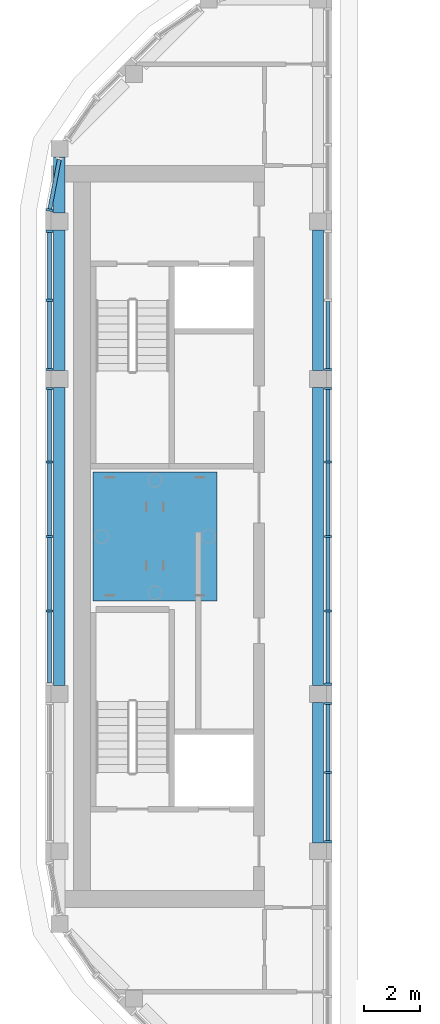
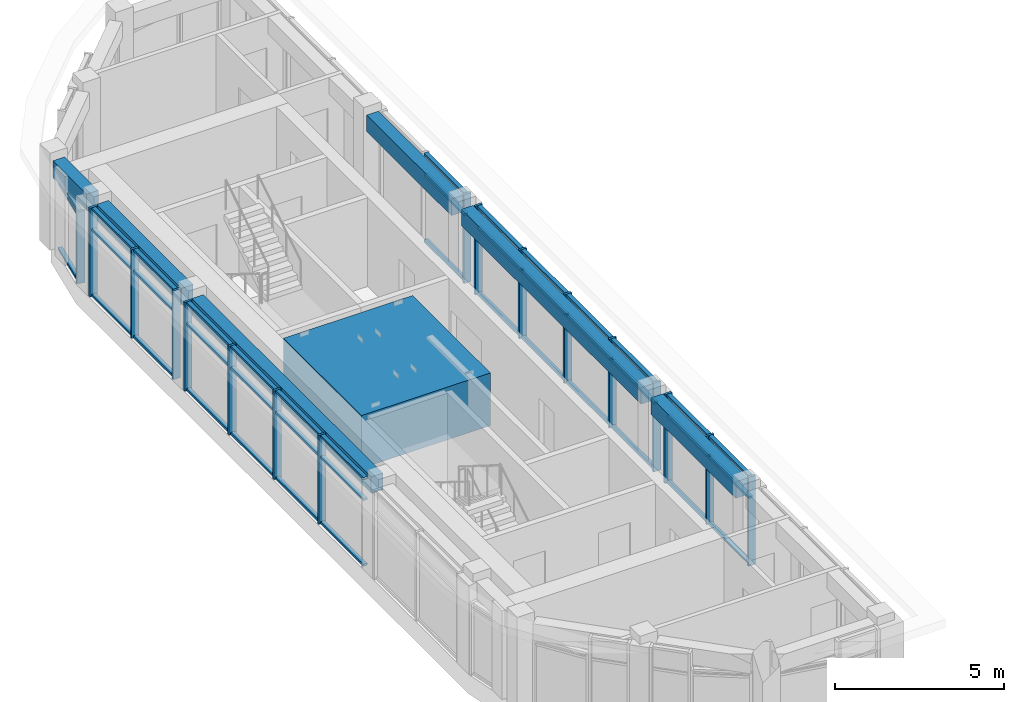
# One storey, part 3 of 16: 60 members, 6 beams, 6 elements without a shape of their own.
"""IFC4 building model written with IfcOpenShell, lengths in metres."""

from ifc_helpers import new_model, si_unit, direction, frame, origin, origin_2d, place, context, subcontext, project, spatial, rectangle, extrude, material, layer, layer_set, material_profile, profile_set, type_object, element, aggregate, save


model = new_model("IFC4")

# Units and contexts
model_context = context("Model", 3, precision=1e-05, world=origin(), true_north=direction((0.0, 1.0)))
body_context = subcontext(model_context, "Body", "Model", "MODEL_VIEW")
ifc_project = project(units=[si_unit("LENGTHUNIT", "METRE"), si_unit("AREAUNIT", "SQUARE_METRE"), si_unit("VOLUMEUNIT", "CUBIC_METRE"), si_unit("PLANEANGLEUNIT", "RADIAN"), si_unit("MASSUNIT", "GRAM", prefix="KILO")], contexts=[model_context])

# Site, building, storey
site_placement = place(None, origin())
site = spatial("IfcSite", under=ifc_project, at=site_placement, CompositionType="ELEMENT")
building_placement = place(site_placement, origin())
building = spatial("IfcBuilding", under=site, at=building_placement, Name="Kiln Ring Residences", CompositionType="ELEMENT")
storey_placement = place(building_placement, frame((0.0, 0.0, 313.89990234375)))
storey = spatial("IfcBuildingStorey", under=building, at=storey_placement, Name="L81 Crown", CompositionType="ELEMENT", Elevation=313.89990234375)

# Curtain wall, members
ifc_material_1 = material(Name="Aluminium and glass", Category="aluminium")
ifc_layer = layer(ifc_material_1, 0.25)
ifc_layer_set = layer_set([ifc_layer], Name="CW4 CURTAIN WALL")
curtain_wall_type = type_object("IfcCurtainWallType", Name="CW4 CURTAIN WALL", PredefinedType="NOTDEFINED", material=ifc_layer_set)
placement = place(storey_placement, origin())
curtain_wall_1 = element("IfcCurtainWall", 1, at=placement, inside=storey, type_object=curtain_wall_type, Name="Curtain wall CW4 L81 Crown", PredefinedType="NOTDEFINED")
ifc_material_2 = material(Name="Aluminium 6063-T6", Category="aluminium")
ifc_material_profile_1 = material_profile(ifc_material_2, rectangle(XDim=0.25, YDim=0.080078125, at=origin_2d()), Name="AL 250x80")
ifc_profile_set_1 = profile_set([ifc_material_profile_1], Name="Aluminium 6063-T6")
member_type_1 = type_object("IfcMemberType", Name="CW4 MULLION 250 x 80", PredefinedType="MULLION", material=ifc_profile_set_1)
member_1_placement = place(storey_placement, frame((-15.14990234375, -10.860107421875, 0.0), z_axis=(0.0, 0.0, 1.0), x_axis=(-1.0, 0.0, 0.0)))
member_1 = element("IfcMember", 2, at=member_1_placement, type_object=member_type_1, Name="CW4 mullion 1", PredefinedType="MULLION", context=body_context, shape_type="SweptSolid", body=[
    extrude(rectangle(XDim=0.25, YDim=0.080078125, at=origin_2d()), origin(), (0.0, 0.0, 1.0), 3.2001953125),
])
member_2_placement = place(storey_placement, frame((-15.14990234375, -8.39990234375, 0.0), z_axis=(0.0, 0.0, 1.0), x_axis=(-1.0, 0.0, 0.0)))
member_2 = element("IfcMember", 3, at=member_2_placement, type_object=member_type_1, Name="CW4 mullion 2", PredefinedType="MULLION", context=body_context, shape_type="SweptSolid", body=[
    extrude(rectangle(XDim=0.25, YDim=0.080078125, at=origin_2d()), origin(), (0.0, 0.0, 1.0), 3.2001953125),
])
member_3_placement = place(storey_placement, frame((-15.14990234375, -5.93994140625, 0.0), z_axis=(0.0, 0.0, 1.0), x_axis=(-1.0, 0.0, 0.0)))
member_3 = element("IfcMember", 4, at=member_3_placement, type_object=member_type_1, Name="CW4 mullion 3", PredefinedType="MULLION", context=body_context, shape_type="SweptSolid", body=[
    extrude(rectangle(XDim=0.25, YDim=0.080078125, at=origin_2d()), origin(), (0.0, 0.0, 1.0), 3.2001953125),
])

curtain_wall_2 = element("IfcCurtainWall", 5, at=placement, inside=storey, type_object=curtain_wall_type, Name="Curtain wall CW4 L81 Crown", PredefinedType="NOTDEFINED")
member_4_placement = place(storey_placement, frame((-15.14990234375, -5.260009765625, 0.0), z_axis=(0.0, 0.0, 1.0), x_axis=(-1.0, 0.0, 0.0)))
member_4 = element("IfcMember", 6, at=member_4_placement, type_object=member_type_1, Name="CW4 mullion 1", PredefinedType="MULLION", context=body_context, shape_type="SweptSolid", body=[
    extrude(rectangle(XDim=0.25, YDim=0.080078125, at=origin_2d()), origin(), (0.0, 0.0, 1.0), 3.2001953125),
])
member_5_placement = place(storey_placement, frame((-15.14990234375, -2.64990234375, 0.0), z_axis=(0.0, 0.0, 1.0), x_axis=(-1.0, 0.0, 0.0)))
member_5 = element("IfcMember", 7, at=member_5_placement, type_object=member_type_1, Name="CW4 mullion 2", PredefinedType="MULLION", context=body_context, shape_type="SweptSolid", body=[
    extrude(rectangle(XDim=0.25, YDim=0.080078125, at=origin_2d()), origin(), (0.0, 0.0, 1.0), 3.2001953125),
])
member_6_placement = place(storey_placement, frame((-15.14990234375, 0.0, 0.0), z_axis=(0.0, 0.0, 1.0), x_axis=(-1.0, 0.0, 0.0)))
member_6 = element("IfcMember", 8, at=member_6_placement, type_object=member_type_1, Name="CW4 mullion 3", PredefinedType="MULLION", context=body_context, shape_type="SweptSolid", body=[
    extrude(rectangle(XDim=0.25, YDim=0.080078125, at=origin_2d()), origin(), (0.0, 0.0, 1.0), 3.2001953125),
])
member_7_placement = place(storey_placement, frame((-15.14990234375, 2.64990234375, 0.0), z_axis=(0.0, 0.0, 1.0), x_axis=(-1.0, 0.0, 0.0)))
member_7 = element("IfcMember", 9, at=member_7_placement, type_object=member_type_1, Name="CW4 mullion 4", PredefinedType="MULLION", context=body_context, shape_type="SweptSolid", body=[
    extrude(rectangle(XDim=0.25, YDim=0.080078125, at=origin_2d()), origin(), (0.0, 0.0, 1.0), 3.2001953125),
])
member_8_placement = place(storey_placement, frame((-15.14990234375, 5.260009765625, 0.0), z_axis=(0.0, 0.0, 1.0), x_axis=(-1.0, 0.0, 0.0)))
member_8 = element("IfcMember", 10, at=member_8_placement, type_object=member_type_1, Name="CW4 mullion 5", PredefinedType="MULLION", context=body_context, shape_type="SweptSolid", body=[
    extrude(rectangle(XDim=0.25, YDim=0.080078125, at=origin_2d()), origin(), (0.0, 0.0, 1.0), 3.2001953125),
])

# Curtain wall, member
curtain_wall_3 = element("IfcCurtainWall", 11, at=placement, inside=storey, type_object=curtain_wall_type, Name="Curtain wall CW4 L81 Crown", PredefinedType="NOTDEFINED")
member_9_placement = place(storey_placement, frame((-15.14990234375, 5.93994140625, 0.0), z_axis=(0.0, 0.0, 1.0), x_axis=(-1.0, 0.0, 0.0)))
member_9 = element("IfcMember", 12, at=member_9_placement, type_object=member_type_1, Name="CW4 mullion 1", PredefinedType="MULLION", context=body_context, shape_type="SweptSolid", body=[
    extrude(rectangle(XDim=0.25, YDim=0.080078125, at=origin_2d()), origin(), (0.0, 0.0, 1.0), 3.2001953125),
])

curtain_wall_4 = element("IfcCurtainWall", 13, at=placement, inside=storey, type_object=curtain_wall_type, Name="Curtain wall CW4 L81 Crown", PredefinedType="NOTDEFINED")
member_10_placement = place(storey_placement, frame((-25.044921875, 11.612060546875, 0.0), z_axis=(0.0, 0.0, 1.0), x_axis=(0.982290257774, -0.187365550416, 0.0)))
member_10 = element("IfcMember", 14, at=member_10_placement, type_object=member_type_1, Name="CW4 mullion 2", PredefinedType="MULLION", context=body_context, shape_type="SweptSolid", body=[
    extrude(rectangle(XDim=0.25, YDim=0.080078125, at=origin_2d()), origin(), (0.0, 0.0, 1.0), 2.60009765625),
])

# Curtain wall, members
curtain_wall_5 = element("IfcCurtainWall", 15, at=placement, inside=storey, type_object=curtain_wall_type, Name="Curtain wall CW4 L81 Crown", PredefinedType="NOTDEFINED")
member_11_placement = place(storey_placement, frame((-25.050048828125, 10.860107421875, 0.0), z_axis=(0.0, 0.0, 1.0), x_axis=(1.0, 0.0, 0.0)))
member_11 = element("IfcMember", 16, at=member_11_placement, type_object=member_type_1, Name="CW4 mullion 1", PredefinedType="MULLION", context=body_context, shape_type="SweptSolid", body=[
    extrude(rectangle(XDim=0.25, YDim=0.080078125, at=origin_2d()), origin(), (0.0, 0.0, 1.0), 3.2001953125),
])
member_12_placement = place(storey_placement, frame((-25.050048828125, 8.39990234375, 0.0), z_axis=(0.0, 0.0, 1.0), x_axis=(1.0, 0.0, 0.0)))
member_12 = element("IfcMember", 17, at=member_12_placement, type_object=member_type_1, Name="CW4 mullion 2", PredefinedType="MULLION", context=body_context, shape_type="SweptSolid", body=[
    extrude(rectangle(XDim=0.25, YDim=0.080078125, at=origin_2d()), origin(), (0.0, 0.0, 1.0), 3.2001953125),
])
member_13_placement = place(storey_placement, frame((-25.050048828125, 5.93994140625, 0.0), z_axis=(0.0, 0.0, 1.0), x_axis=(1.0, 0.0, 0.0)))
member_13 = element("IfcMember", 18, at=member_13_placement, type_object=member_type_1, Name="CW4 mullion 3", PredefinedType="MULLION", context=body_context, shape_type="SweptSolid", body=[
    extrude(rectangle(XDim=0.25, YDim=0.080078125, at=origin_2d()), origin(), (0.0, 0.0, 1.0), 3.2001953125),
])

curtain_wall_6 = element("IfcCurtainWall", 19, at=placement, inside=storey, type_object=curtain_wall_type, Name="Curtain wall CW4 L81 Crown", PredefinedType="NOTDEFINED")
member_14_placement = place(storey_placement, frame((-25.050048828125, 5.260009765625, 0.0), z_axis=(0.0, 0.0, 1.0), x_axis=(1.0, 0.0, 0.0)))
member_14 = element("IfcMember", 20, at=member_14_placement, type_object=member_type_1, Name="CW4 mullion 1", PredefinedType="MULLION", context=body_context, shape_type="SweptSolid", body=[
    extrude(rectangle(XDim=0.25, YDim=0.080078125, at=origin_2d()), origin(), (0.0, 0.0, 1.0), 3.2001953125),
])
member_15_placement = place(storey_placement, frame((-25.050048828125, 2.64990234375, 0.0), z_axis=(0.0, 0.0, 1.0), x_axis=(1.0, 0.0, 0.0)))
member_15 = element("IfcMember", 21, at=member_15_placement, type_object=member_type_1, Name="CW4 mullion 2", PredefinedType="MULLION", context=body_context, shape_type="SweptSolid", body=[
    extrude(rectangle(XDim=0.25, YDim=0.080078125, at=origin_2d()), origin(), (0.0, 0.0, 1.0), 3.2001953125),
])
member_16_placement = place(storey_placement, frame((-25.050048828125, 0.0, 0.0), z_axis=(0.0, 0.0, 1.0), x_axis=(1.0, 0.0, 0.0)))
member_16 = element("IfcMember", 22, at=member_16_placement, type_object=member_type_1, Name="CW4 mullion 3", PredefinedType="MULLION", context=body_context, shape_type="SweptSolid", body=[
    extrude(rectangle(XDim=0.25, YDim=0.080078125, at=origin_2d()), origin(), (0.0, 0.0, 1.0), 3.2001953125),
])
member_17_placement = place(storey_placement, frame((-25.050048828125, -2.64990234375, 0.0), z_axis=(0.0, 0.0, 1.0), x_axis=(1.0, 0.0, 0.0)))
member_17 = element("IfcMember", 23, at=member_17_placement, type_object=member_type_1, Name="CW4 mullion 4", PredefinedType="MULLION", context=body_context, shape_type="SweptSolid", body=[
    extrude(rectangle(XDim=0.25, YDim=0.080078125, at=origin_2d()), origin(), (0.0, 0.0, 1.0), 3.2001953125),
])

# Member
ifc_material_3 = material(Name="Aluminium 6063-T6", Category="aluminium")
ifc_material_profile_2 = material_profile(ifc_material_3, rectangle(XDim=0.139892578125, YDim=0.080078125, at=origin_2d()), Name="AL 140x80")
ifc_profile_set_2 = profile_set([ifc_material_profile_2], Name="Aluminium 6063-T6")
member_type_2 = type_object("IfcMemberType", Name="CW4 TRANSOM 140 x 80", PredefinedType="USERDEFINED", material=ifc_profile_set_2)
member_18_placement = place(storey_placement, frame((-15.14990234375, -10.820068359375, 0.0400390625), z_axis=(0.0, 1.0, 0.0), x_axis=(-1.0, 0.0, 0.0)))
member_18 = element("IfcMember", 24, at=member_18_placement, type_object=member_type_2, Name="CW4 transom 1.1", ObjectType="TRANSOM", PredefinedType="USERDEFINED", context=body_context, shape_type="SweptSolid", body=[
    extrude(rectangle(XDim=0.139892578125, YDim=0.080078125, at=origin_2d()), origin(), (0.0, 0.0, 1.0), 2.380126953125),
])

member_19_placement = place(storey_placement, frame((-15.14990234375, -10.820068359375, 2.400146484375), z_axis=(0.0, 1.0, 0.0), x_axis=(-1.0, 0.0, 0.0)))
member_19 = element("IfcMember", 25, at=member_19_placement, type_object=member_type_2, Name="CW4 transom 1.2", ObjectType="TRANSOM", PredefinedType="USERDEFINED", context=body_context, shape_type="SweptSolid", body=[
    extrude(rectangle(XDim=0.139892578125, YDim=0.080078125, at=origin_2d()), origin(), (0.0, 0.0, 1.0), 2.380126953125),
])

member_20_placement = place(storey_placement, frame((-15.14990234375, -10.820068359375, 3.16015625), z_axis=(0.0, 1.0, 0.0), x_axis=(-1.0, 0.0, 0.0)))
member_20 = element("IfcMember", 26, at=member_20_placement, type_object=member_type_2, Name="CW4 transom 1.3", ObjectType="TRANSOM", PredefinedType="USERDEFINED", context=body_context, shape_type="SweptSolid", body=[
    extrude(rectangle(XDim=0.139892578125, YDim=0.080078125, at=origin_2d()), origin(), (0.0, 0.0, 1.0), 2.380126953125),
])

member_21_placement = place(storey_placement, frame((-15.14990234375, -8.360107421875, 0.0400390625), z_axis=(0.0, 1.0, 0.0), x_axis=(-1.0, 0.0, 0.0)))
member_21 = element("IfcMember", 27, at=member_21_placement, type_object=member_type_2, Name="CW4 transom 2.1", ObjectType="TRANSOM", PredefinedType="USERDEFINED", context=body_context, shape_type="SweptSolid", body=[
    extrude(rectangle(XDim=0.139892578125, YDim=0.080078125, at=origin_2d()), origin(), (0.0, 0.0, 1.0), 2.380126953125),
])

member_22_placement = place(storey_placement, frame((-15.14990234375, -8.360107421875, 2.400146484375), z_axis=(0.0, 1.0, 0.0), x_axis=(-1.0, 0.0, 0.0)))
member_22 = element("IfcMember", 28, at=member_22_placement, type_object=member_type_2, Name="CW4 transom 2.2", ObjectType="TRANSOM", PredefinedType="USERDEFINED", context=body_context, shape_type="SweptSolid", body=[
    extrude(rectangle(XDim=0.139892578125, YDim=0.080078125, at=origin_2d()), origin(), (0.0, 0.0, 1.0), 2.380126953125),
])

member_23_placement = place(storey_placement, frame((-15.14990234375, -8.360107421875, 3.16015625), z_axis=(0.0, 1.0, 0.0), x_axis=(-1.0, 0.0, 0.0)))
member_23 = element("IfcMember", 29, at=member_23_placement, type_object=member_type_2, Name="CW4 transom 2.3", ObjectType="TRANSOM", PredefinedType="USERDEFINED", context=body_context, shape_type="SweptSolid", body=[
    extrude(rectangle(XDim=0.139892578125, YDim=0.080078125, at=origin_2d()), origin(), (0.0, 0.0, 1.0), 2.380126953125),
])

aggregate(curtain_wall_1, [member_1, member_2, member_3, member_18, member_19, member_20, member_21, member_22, member_23])

member_24_placement = place(storey_placement, frame((-15.14990234375, -5.219970703125, 0.0400390625), z_axis=(0.0, 1.0, 0.0), x_axis=(-1.0, 0.0, 0.0)))
member_24 = element("IfcMember", 30, at=member_24_placement, type_object=member_type_2, Name="CW4 transom 1.1", ObjectType="TRANSOM", PredefinedType="USERDEFINED", context=body_context, shape_type="SweptSolid", body=[
    extrude(rectangle(XDim=0.139892578125, YDim=0.080078125, at=origin_2d()), origin(), (0.0, 0.0, 1.0), 2.530029296875),
])

member_25_placement = place(storey_placement, frame((-15.14990234375, -5.219970703125, 2.400146484375), z_axis=(0.0, 1.0, 0.0), x_axis=(-1.0, 0.0, 0.0)))
member_25 = element("IfcMember", 31, at=member_25_placement, type_object=member_type_2, Name="CW4 transom 1.2", ObjectType="TRANSOM", PredefinedType="USERDEFINED", context=body_context, shape_type="SweptSolid", body=[
    extrude(rectangle(XDim=0.139892578125, YDim=0.080078125, at=origin_2d()), origin(), (0.0, 0.0, 1.0), 2.530029296875),
])

member_26_placement = place(storey_placement, frame((-15.14990234375, -5.219970703125, 3.16015625), z_axis=(0.0, 1.0, 0.0), x_axis=(-1.0, 0.0, 0.0)))
member_26 = element("IfcMember", 32, at=member_26_placement, type_object=member_type_2, Name="CW4 transom 1.3", ObjectType="TRANSOM", PredefinedType="USERDEFINED", context=body_context, shape_type="SweptSolid", body=[
    extrude(rectangle(XDim=0.139892578125, YDim=0.080078125, at=origin_2d()), origin(), (0.0, 0.0, 1.0), 2.530029296875),
])

member_27_placement = place(storey_placement, frame((-15.14990234375, -2.610107421875, 0.0400390625), z_axis=(0.0, 1.0, 0.0), x_axis=(-1.0, 0.0, 0.0)))
member_27 = element("IfcMember", 33, at=member_27_placement, type_object=member_type_2, Name="CW4 transom 2.1", ObjectType="TRANSOM", PredefinedType="USERDEFINED", context=body_context, shape_type="SweptSolid", body=[
    extrude(rectangle(XDim=0.139892578125, YDim=0.080078125, at=origin_2d()), origin(), (0.0, 0.0, 1.0), 2.570068359375),
])

member_28_placement = place(storey_placement, frame((-15.14990234375, -2.610107421875, 2.400146484375), z_axis=(0.0, 1.0, 0.0), x_axis=(-1.0, 0.0, 0.0)))
member_28 = element("IfcMember", 34, at=member_28_placement, type_object=member_type_2, Name="CW4 transom 2.2", ObjectType="TRANSOM", PredefinedType="USERDEFINED", context=body_context, shape_type="SweptSolid", body=[
    extrude(rectangle(XDim=0.139892578125, YDim=0.080078125, at=origin_2d()), origin(), (0.0, 0.0, 1.0), 2.570068359375),
])

member_29_placement = place(storey_placement, frame((-15.14990234375, -2.610107421875, 3.16015625), z_axis=(0.0, 1.0, 0.0), x_axis=(-1.0, 0.0, 0.0)))
member_29 = element("IfcMember", 35, at=member_29_placement, type_object=member_type_2, Name="CW4 transom 2.3", ObjectType="TRANSOM", PredefinedType="USERDEFINED", context=body_context, shape_type="SweptSolid", body=[
    extrude(rectangle(XDim=0.139892578125, YDim=0.080078125, at=origin_2d()), origin(), (0.0, 0.0, 1.0), 2.570068359375),
])

member_30_placement = place(storey_placement, frame((-15.14990234375, 0.0400390625, 0.0400390625), z_axis=(0.0, 1.0, 0.0), x_axis=(-1.0, 0.0, 0.0)))
member_30 = element("IfcMember", 36, at=member_30_placement, type_object=member_type_2, Name="CW4 transom 3.1", ObjectType="TRANSOM", PredefinedType="USERDEFINED", context=body_context, shape_type="SweptSolid", body=[
    extrude(rectangle(XDim=0.139892578125, YDim=0.080078125, at=origin_2d()), origin(), (0.0, 0.0, 1.0), 2.570068359375),
])

member_31_placement = place(storey_placement, frame((-15.14990234375, 0.0400390625, 2.400146484375), z_axis=(0.0, 1.0, 0.0), x_axis=(-1.0, 0.0, 0.0)))
member_31 = element("IfcMember", 37, at=member_31_placement, type_object=member_type_2, Name="CW4 transom 3.2", ObjectType="TRANSOM", PredefinedType="USERDEFINED", context=body_context, shape_type="SweptSolid", body=[
    extrude(rectangle(XDim=0.139892578125, YDim=0.080078125, at=origin_2d()), origin(), (0.0, 0.0, 1.0), 2.570068359375),
])

member_32_placement = place(storey_placement, frame((-15.14990234375, 0.0400390625, 3.16015625), z_axis=(0.0, 1.0, 0.0), x_axis=(-1.0, 0.0, 0.0)))
member_32 = element("IfcMember", 38, at=member_32_placement, type_object=member_type_2, Name="CW4 transom 3.3", ObjectType="TRANSOM", PredefinedType="USERDEFINED", context=body_context, shape_type="SweptSolid", body=[
    extrude(rectangle(XDim=0.139892578125, YDim=0.080078125, at=origin_2d()), origin(), (0.0, 0.0, 1.0), 2.570068359375),
])

member_33_placement = place(storey_placement, frame((-15.14990234375, 2.68994140625, 0.0400390625), z_axis=(0.0, 1.0, 0.0), x_axis=(-1.0, 0.0, 0.0)))
member_33 = element("IfcMember", 39, at=member_33_placement, type_object=member_type_2, Name="CW4 transom 4.1", ObjectType="TRANSOM", PredefinedType="USERDEFINED", context=body_context, shape_type="SweptSolid", body=[
    extrude(rectangle(XDim=0.139892578125, YDim=0.080078125, at=origin_2d()), origin(), (0.0, 0.0, 1.0), 2.530029296875),
])

member_34_placement = place(storey_placement, frame((-15.14990234375, 2.68994140625, 2.400146484375), z_axis=(0.0, 1.0, 0.0), x_axis=(-1.0, 0.0, 0.0)))
member_34 = element("IfcMember", 40, at=member_34_placement, type_object=member_type_2, Name="CW4 transom 4.2", ObjectType="TRANSOM", PredefinedType="USERDEFINED", context=body_context, shape_type="SweptSolid", body=[
    extrude(rectangle(XDim=0.139892578125, YDim=0.080078125, at=origin_2d()), origin(), (0.0, 0.0, 1.0), 2.530029296875),
])

member_35_placement = place(storey_placement, frame((-15.14990234375, 2.68994140625, 3.16015625), z_axis=(0.0, 1.0, 0.0), x_axis=(-1.0, 0.0, 0.0)))
member_35 = element("IfcMember", 41, at=member_35_placement, type_object=member_type_2, Name="CW4 transom 4.3", ObjectType="TRANSOM", PredefinedType="USERDEFINED", context=body_context, shape_type="SweptSolid", body=[
    extrude(rectangle(XDim=0.139892578125, YDim=0.080078125, at=origin_2d()), origin(), (0.0, 0.0, 1.0), 2.530029296875),
])

aggregate(curtain_wall_2, [member_4, member_5, member_6, member_7, member_8, member_24, member_25, member_26, member_27, member_28, member_29, member_30, member_31, member_32, member_33, member_34, member_35])

member_36_placement = place(storey_placement, frame((-15.14990234375, 5.97998046875, 0.0400390625), z_axis=(0.0, 1.0, 0.0), x_axis=(-1.0, 0.0, 0.0)))
member_36 = element("IfcMember", 42, at=member_36_placement, type_object=member_type_2, Name="CW4 transom 1.1", ObjectType="TRANSOM", PredefinedType="USERDEFINED", context=body_context, shape_type="SweptSolid", body=[
    extrude(rectangle(XDim=0.139892578125, YDim=0.080078125, at=origin_2d()), origin(), (0.0, 0.0, 1.0), 2.380126953125),
])

member_37_placement = place(storey_placement, frame((-15.14990234375, 5.97998046875, 2.400146484375), z_axis=(0.0, 1.0, 0.0), x_axis=(-1.0, 0.0, 0.0)))
member_37 = element("IfcMember", 43, at=member_37_placement, type_object=member_type_2, Name="CW4 transom 1.2", ObjectType="TRANSOM", PredefinedType="USERDEFINED", context=body_context, shape_type="SweptSolid", body=[
    extrude(rectangle(XDim=0.139892578125, YDim=0.080078125, at=origin_2d()), origin(), (0.0, 0.0, 1.0), 2.380126953125),
])

member_38_placement = place(storey_placement, frame((-15.14990234375, 5.97998046875, 3.16015625), z_axis=(0.0, 1.0, 0.0), x_axis=(-1.0, 0.0, 0.0)))
member_38 = element("IfcMember", 44, at=member_38_placement, type_object=member_type_2, Name="CW4 transom 1.3", ObjectType="TRANSOM", PredefinedType="USERDEFINED", context=body_context, shape_type="SweptSolid", body=[
    extrude(rectangle(XDim=0.139892578125, YDim=0.080078125, at=origin_2d()), origin(), (0.0, 0.0, 1.0), 2.380126953125),
])

aggregate(curtain_wall_3, [member_9, member_36, member_37, member_38])

member_39_placement = place(storey_placement, frame((-24.70263671875, 13.406494140625, 0.0400390625), z_axis=(-0.187438543465, -0.982276332008, 0.0), x_axis=(0.982276332008, -0.187438543465, 0.0)))
member_39 = element("IfcMember", 45, at=member_39_placement, type_object=member_type_2, Name="CW4 transom 1.1", ObjectType="TRANSOM", PredefinedType="USERDEFINED", context=body_context, shape_type="SweptSolid", body=[
    extrude(rectangle(XDim=0.139892578125, YDim=0.080078125, at=origin_2d()), origin(), (0.0, 0.0, 1.0), 1.787109375),
])

member_40_placement = place(storey_placement, frame((-24.70263671875, 13.406494140625, 2.400146484375), z_axis=(-0.187438543465, -0.982276332008, 0.0), x_axis=(0.982276332008, -0.187438543465, 0.0)))
member_40 = element("IfcMember", 46, at=member_40_placement, type_object=member_type_2, Name="CW4 transom 1.2", ObjectType="TRANSOM", PredefinedType="USERDEFINED", context=body_context, shape_type="SweptSolid", body=[
    extrude(rectangle(XDim=0.139892578125, YDim=0.080078125, at=origin_2d()), origin(), (0.0, 0.0, 1.0), 1.787109375),
])

member_41_placement = place(storey_placement, frame((-24.70263671875, 13.406494140625, 2.56005859375), z_axis=(-0.187438543465, -0.982276332008, 0.0), x_axis=(0.982276332008, -0.187438543465, 0.0)))
member_41 = element("IfcMember", 47, at=member_41_placement, type_object=member_type_2, Name="CW4 transom 1.3", ObjectType="TRANSOM", PredefinedType="USERDEFINED", context=body_context, shape_type="SweptSolid", body=[
    extrude(rectangle(XDim=0.139892578125, YDim=0.080078125, at=origin_2d()), origin(), (0.0, 0.0, 1.0), 1.787109375),
])

aggregate(curtain_wall_4, [member_10, member_39, member_40, member_41])

member_42_placement = place(storey_placement, frame((-25.050048828125, 10.820068359375, 0.0400390625), z_axis=(0.0, -1.0, 0.0), x_axis=(1.0, 0.0, 0.0)))
member_42 = element("IfcMember", 48, at=member_42_placement, type_object=member_type_2, Name="CW4 transom 1.1", ObjectType="TRANSOM", PredefinedType="USERDEFINED", context=body_context, shape_type="SweptSolid", body=[
    extrude(rectangle(XDim=0.139892578125, YDim=0.080078125, at=origin_2d()), origin(), (0.0, 0.0, 1.0), 2.380126953125),
])

member_43_placement = place(storey_placement, frame((-25.050048828125, 10.820068359375, 2.400146484375), z_axis=(0.0, -1.0, 0.0), x_axis=(1.0, 0.0, 0.0)))
member_43 = element("IfcMember", 49, at=member_43_placement, type_object=member_type_2, Name="CW4 transom 1.2", ObjectType="TRANSOM", PredefinedType="USERDEFINED", context=body_context, shape_type="SweptSolid", body=[
    extrude(rectangle(XDim=0.139892578125, YDim=0.080078125, at=origin_2d()), origin(), (0.0, 0.0, 1.0), 2.380126953125),
])

member_44_placement = place(storey_placement, frame((-25.050048828125, 10.820068359375, 3.16015625), z_axis=(0.0, -1.0, 0.0), x_axis=(1.0, 0.0, 0.0)))
member_44 = element("IfcMember", 50, at=member_44_placement, type_object=member_type_2, Name="CW4 transom 1.3", ObjectType="TRANSOM", PredefinedType="USERDEFINED", context=body_context, shape_type="SweptSolid", body=[
    extrude(rectangle(XDim=0.139892578125, YDim=0.080078125, at=origin_2d()), origin(), (0.0, 0.0, 1.0), 2.380126953125),
])

member_45_placement = place(storey_placement, frame((-25.050048828125, 8.360107421875, 0.0400390625), z_axis=(0.0, -1.0, 0.0), x_axis=(1.0, 0.0, 0.0)))
member_45 = element("IfcMember", 51, at=member_45_placement, type_object=member_type_2, Name="CW4 transom 2.1", ObjectType="TRANSOM", PredefinedType="USERDEFINED", context=body_context, shape_type="SweptSolid", body=[
    extrude(rectangle(XDim=0.139892578125, YDim=0.080078125, at=origin_2d()), origin(), (0.0, 0.0, 1.0), 2.380126953125),
])

member_46_placement = place(storey_placement, frame((-25.050048828125, 8.360107421875, 2.400146484375), z_axis=(0.0, -1.0, 0.0), x_axis=(1.0, 0.0, 0.0)))
member_46 = element("IfcMember", 52, at=member_46_placement, type_object=member_type_2, Name="CW4 transom 2.2", ObjectType="TRANSOM", PredefinedType="USERDEFINED", context=body_context, shape_type="SweptSolid", body=[
    extrude(rectangle(XDim=0.139892578125, YDim=0.080078125, at=origin_2d()), origin(), (0.0, 0.0, 1.0), 2.380126953125),
])

member_47_placement = place(storey_placement, frame((-25.050048828125, 8.360107421875, 3.16015625), z_axis=(0.0, -1.0, 0.0), x_axis=(1.0, 0.0, 0.0)))
member_47 = element("IfcMember", 53, at=member_47_placement, type_object=member_type_2, Name="CW4 transom 2.3", ObjectType="TRANSOM", PredefinedType="USERDEFINED", context=body_context, shape_type="SweptSolid", body=[
    extrude(rectangle(XDim=0.139892578125, YDim=0.080078125, at=origin_2d()), origin(), (0.0, 0.0, 1.0), 2.380126953125),
])

aggregate(curtain_wall_5, [member_11, member_12, member_13, member_42, member_43, member_44, member_45, member_46, member_47])

member_48_placement = place(storey_placement, frame((-25.050048828125, 5.219970703125, 0.0400390625), z_axis=(0.0, -1.0, 0.0), x_axis=(1.0, 0.0, 0.0)))
member_48 = element("IfcMember", 54, at=member_48_placement, type_object=member_type_2, Name="CW4 transom 1.1", ObjectType="TRANSOM", PredefinedType="USERDEFINED", context=body_context, shape_type="SweptSolid", body=[
    extrude(rectangle(XDim=0.139892578125, YDim=0.080078125, at=origin_2d()), origin(), (0.0, 0.0, 1.0), 2.530029296875),
])

member_49_placement = place(storey_placement, frame((-25.050048828125, 5.219970703125, 2.400146484375), z_axis=(0.0, -1.0, 0.0), x_axis=(1.0, 0.0, 0.0)))
member_49 = element("IfcMember", 55, at=member_49_placement, type_object=member_type_2, Name="CW4 transom 1.2", ObjectType="TRANSOM", PredefinedType="USERDEFINED", context=body_context, shape_type="SweptSolid", body=[
    extrude(rectangle(XDim=0.139892578125, YDim=0.080078125, at=origin_2d()), origin(), (0.0, 0.0, 1.0), 2.530029296875),
])

member_50_placement = place(storey_placement, frame((-25.050048828125, 5.219970703125, 3.16015625), z_axis=(0.0, -1.0, 0.0), x_axis=(1.0, 0.0, 0.0)))
member_50 = element("IfcMember", 56, at=member_50_placement, type_object=member_type_2, Name="CW4 transom 1.3", ObjectType="TRANSOM", PredefinedType="USERDEFINED", context=body_context, shape_type="SweptSolid", body=[
    extrude(rectangle(XDim=0.139892578125, YDim=0.080078125, at=origin_2d()), origin(), (0.0, 0.0, 1.0), 2.530029296875),
])

member_51_placement = place(storey_placement, frame((-25.050048828125, 2.610107421875, 0.0400390625), z_axis=(0.0, -1.0, 0.0), x_axis=(1.0, 0.0, 0.0)))
member_51 = element("IfcMember", 57, at=member_51_placement, type_object=member_type_2, Name="CW4 transom 2.1", ObjectType="TRANSOM", PredefinedType="USERDEFINED", context=body_context, shape_type="SweptSolid", body=[
    extrude(rectangle(XDim=0.139892578125, YDim=0.080078125, at=origin_2d()), origin(), (0.0, 0.0, 1.0), 2.570068359375),
])

member_52_placement = place(storey_placement, frame((-25.050048828125, 2.610107421875, 2.400146484375), z_axis=(0.0, -1.0, 0.0), x_axis=(1.0, 0.0, 0.0)))
member_52 = element("IfcMember", 58, at=member_52_placement, type_object=member_type_2, Name="CW4 transom 2.2", ObjectType="TRANSOM", PredefinedType="USERDEFINED", context=body_context, shape_type="SweptSolid", body=[
    extrude(rectangle(XDim=0.139892578125, YDim=0.080078125, at=origin_2d()), origin(), (0.0, 0.0, 1.0), 2.570068359375),
])

member_53_placement = place(storey_placement, frame((-25.050048828125, 2.610107421875, 3.16015625), z_axis=(0.0, -1.0, 0.0), x_axis=(1.0, 0.0, 0.0)))
member_53 = element("IfcMember", 59, at=member_53_placement, type_object=member_type_2, Name="CW4 transom 2.3", ObjectType="TRANSOM", PredefinedType="USERDEFINED", context=body_context, shape_type="SweptSolid", body=[
    extrude(rectangle(XDim=0.139892578125, YDim=0.080078125, at=origin_2d()), origin(), (0.0, 0.0, 1.0), 2.570068359375),
])

member_54_placement = place(storey_placement, frame((-25.050048828125, -0.0400390625, 0.0400390625), z_axis=(0.0, -1.0, 0.0), x_axis=(1.0, 0.0, 0.0)))
member_54 = element("IfcMember", 60, at=member_54_placement, type_object=member_type_2, Name="CW4 transom 3.1", ObjectType="TRANSOM", PredefinedType="USERDEFINED", context=body_context, shape_type="SweptSolid", body=[
    extrude(rectangle(XDim=0.139892578125, YDim=0.080078125, at=origin_2d()), origin(), (0.0, 0.0, 1.0), 2.570068359375),
])

member_55_placement = place(storey_placement, frame((-25.050048828125, -0.0400390625, 2.400146484375), z_axis=(0.0, -1.0, 0.0), x_axis=(1.0, 0.0, 0.0)))
member_55 = element("IfcMember", 61, at=member_55_placement, type_object=member_type_2, Name="CW4 transom 3.2", ObjectType="TRANSOM", PredefinedType="USERDEFINED", context=body_context, shape_type="SweptSolid", body=[
    extrude(rectangle(XDim=0.139892578125, YDim=0.080078125, at=origin_2d()), origin(), (0.0, 0.0, 1.0), 2.570068359375),
])

member_56_placement = place(storey_placement, frame((-25.050048828125, -0.0400390625, 3.16015625), z_axis=(0.0, -1.0, 0.0), x_axis=(1.0, 0.0, 0.0)))
member_56 = element("IfcMember", 62, at=member_56_placement, type_object=member_type_2, Name="CW4 transom 3.3", ObjectType="TRANSOM", PredefinedType="USERDEFINED", context=body_context, shape_type="SweptSolid", body=[
    extrude(rectangle(XDim=0.139892578125, YDim=0.080078125, at=origin_2d()), origin(), (0.0, 0.0, 1.0), 2.570068359375),
])

member_57_placement = place(storey_placement, frame((-25.050048828125, -2.68994140625, 0.0400390625), z_axis=(0.0, -1.0, 0.0), x_axis=(1.0, 0.0, 0.0)))
member_57 = element("IfcMember", 63, at=member_57_placement, type_object=member_type_2, Name="CW4 transom 4.1", ObjectType="TRANSOM", PredefinedType="USERDEFINED", context=body_context, shape_type="SweptSolid", body=[
    extrude(rectangle(XDim=0.139892578125, YDim=0.080078125, at=origin_2d()), origin(), (0.0, 0.0, 1.0), 2.530029296875),
])

member_58_placement = place(storey_placement, frame((-25.050048828125, -2.68994140625, 2.400146484375), z_axis=(0.0, -1.0, 0.0), x_axis=(1.0, 0.0, 0.0)))
member_58 = element("IfcMember", 64, at=member_58_placement, type_object=member_type_2, Name="CW4 transom 4.2", ObjectType="TRANSOM", PredefinedType="USERDEFINED", context=body_context, shape_type="SweptSolid", body=[
    extrude(rectangle(XDim=0.139892578125, YDim=0.080078125, at=origin_2d()), origin(), (0.0, 0.0, 1.0), 2.530029296875),
])

member_59_placement = place(storey_placement, frame((-25.050048828125, -2.68994140625, 3.16015625), z_axis=(0.0, -1.0, 0.0), x_axis=(1.0, 0.0, 0.0)))
member_59 = element("IfcMember", 65, at=member_59_placement, type_object=member_type_2, Name="CW4 transom 4.3", ObjectType="TRANSOM", PredefinedType="USERDEFINED", context=body_context, shape_type="SweptSolid", body=[
    extrude(rectangle(XDim=0.139892578125, YDim=0.080078125, at=origin_2d()), origin(), (0.0, 0.0, 1.0), 2.530029296875),
])

aggregate(curtain_wall_6, [member_14, member_15, member_16, member_17, member_48, member_49, member_50, member_51, member_52, member_53, member_54, member_55, member_56, member_57, member_58, member_59])

# Beams
ifc_material_4 = material(Name="Concrete C50/60", Category="concrete")
ifc_material_profile_3 = material_profile(ifc_material_4, rectangle(XDim=0.39990234375, YDim=0.60009765625, at=origin_2d()), Name="RC400x600")
ifc_profile_set_3 = profile_set([ifc_material_profile_3], Name="Concrete C50/60")
beam_type = type_object("IfcBeamType", Name="Spandrel beam RC400x600 C50/60", PredefinedType="SPANDREL", material=ifc_profile_set_3)
beam_1_placement = place(storey_placement, frame((-15.5, -10.89990234375, 2.900146484375), z_axis=(0.0, 1.0, 0.0), x_axis=(-1.0, 0.0, 0.0)))
element("IfcBeam", 66, at=beam_1_placement, inside=storey, type_object=beam_type, Name="Spandrel beam L81 Crown 7", PredefinedType="SPANDREL", context=body_context, shape_type="SweptSolid", body=[
    extrude(rectangle(XDim=0.39990234375, YDim=0.60009765625, at=origin_2d()), origin(), (0.0, 0.0, 1.0), 5.0),
])
beam_2_placement = place(storey_placement, frame((-15.5, -5.300048828125, 2.900146484375), z_axis=(0.0, 1.0, 0.0), x_axis=(-1.0, 0.0, 0.0)))
element("IfcBeam", 67, at=beam_2_placement, inside=storey, type_object=beam_type, Name="Spandrel beam L81 Crown 8", PredefinedType="SPANDREL", context=body_context, shape_type="SweptSolid", body=[
    extrude(rectangle(XDim=0.39990234375, YDim=0.60009765625, at=origin_2d()), origin(), (0.0, 0.0, 1.0), 10.60009765625),
])
beam_3_placement = place(storey_placement, frame((-15.5, 5.89990234375, 2.900146484375), z_axis=(0.0, 1.0, 0.0), x_axis=(-1.0, 0.0, 0.0)))
element("IfcBeam", 68, at=beam_3_placement, inside=storey, type_object=beam_type, Name="Spandrel beam L81 Crown 9", PredefinedType="SPANDREL", context=body_context, shape_type="SweptSolid", body=[
    extrude(rectangle(XDim=0.39990234375, YDim=0.60009765625, at=origin_2d()), origin(), (0.0, 0.0, 1.0), 5.0),
])
beam_4_placement = place(storey_placement, frame((-24.699951171875, 13.492919921875, 2.900146484375), z_axis=(0.0, -1.0, 0.0), x_axis=(1.0, 0.0, 0.0)))
element("IfcBeam", 69, at=beam_4_placement, inside=storey, type_object=beam_type, Name="Spandrel beam L81 Crown 14", PredefinedType="SPANDREL", context=body_context, shape_type="SweptSolid", body=[
    extrude(rectangle(XDim=0.39990234375, YDim=0.60009765625, at=origin_2d()), origin(), (0.0, 0.0, 1.0), 1.992919921875),
])
beam_5_placement = place(storey_placement, frame((-24.699951171875, 10.89990234375, 2.900146484375), z_axis=(0.0, -1.0, 0.0), x_axis=(1.0, 0.0, 0.0)))
element("IfcBeam", 70, at=beam_5_placement, inside=storey, type_object=beam_type, Name="Spandrel beam L81 Crown 15", PredefinedType="SPANDREL", context=body_context, shape_type="SweptSolid", body=[
    extrude(rectangle(XDim=0.39990234375, YDim=0.60009765625, at=origin_2d()), origin(), (0.0, 0.0, 1.0), 5.0),
])
beam_6_placement = place(storey_placement, frame((-24.699951171875, 5.300048828125, 2.900146484375), z_axis=(0.0, -1.0, 0.0), x_axis=(1.0, 0.0, 0.0)))
element("IfcBeam", 71, at=beam_6_placement, inside=storey, type_object=beam_type, Name="Spandrel beam L81 Crown 16", PredefinedType="SPANDREL", context=body_context, shape_type="SweptSolid", body=[
    extrude(rectangle(XDim=0.39990234375, YDim=0.60009765625, at=origin_2d()), origin(), (0.0, 0.0, 1.0), 10.60009765625),
])

# Member
ifc_material_5 = material(Name="Concrete C40/50", Category="concrete")
member_type_3 = type_object("IfcMemberType", Name="Tuned mass block 4400x4600x1900", PredefinedType="USERDEFINED", material=ifc_material_5)
member_60_placement = place(storey_placement, frame((-21.300048828125, 0.0, 1.2001953125), z_axis=(0.0, 0.0, 1.0), x_axis=(1.0, 0.0, 0.0)))
element("IfcMember", 72, at=member_60_placement, inside=storey, type_object=member_type_3, Name="Tuned mass block L81 Crown 1", ObjectType="TUNED MASS", PredefinedType="USERDEFINED", context=body_context, shape_type="SweptSolid", body=[
    extrude(rectangle(XDim=4.39990234375, YDim=4.60009765625, at=origin_2d()), origin(), (0.0, 0.0, 1.0), 1.89990234375),
])

save(model, "model.ifc")
